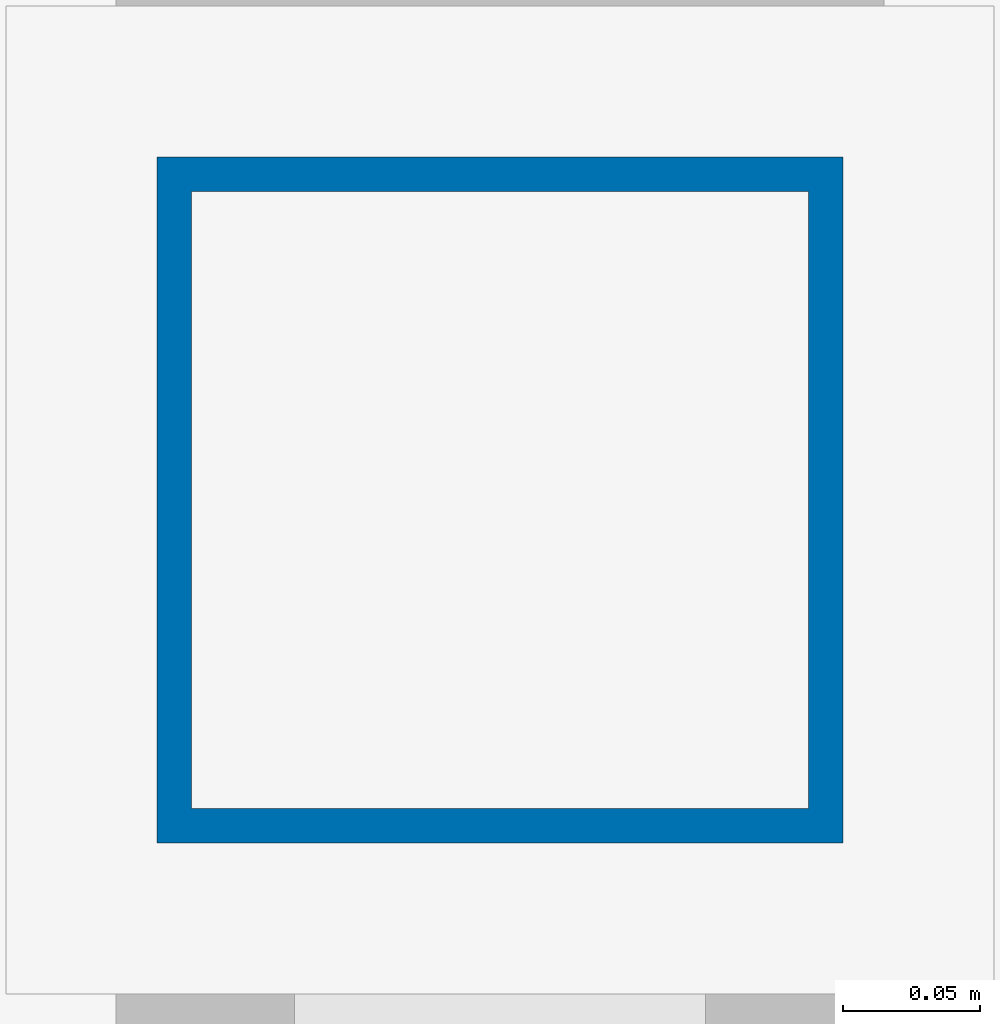
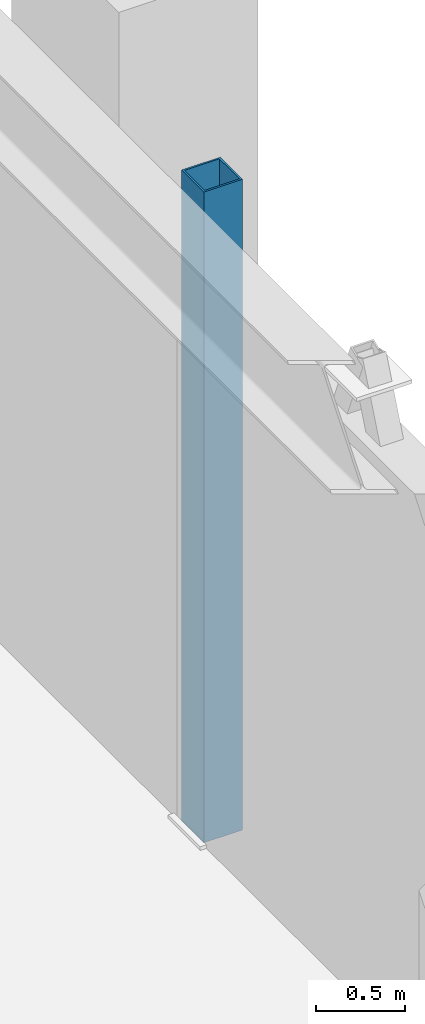
# One storey, part 12 of 126: 1 column.
"""IFC4 building model written with IfcOpenShell, lengths in metres."""

from ifc_helpers import new_model, si_unit, derived_unit, direction, frame, origin, origin_2d, place, context, subcontext, project, spatial, hollow_rectangle, extrude, material, material_profile, profile_set, type_object, element, save


model = new_model("IFC4")

# Units and contexts
model_context = context("Model", 3, precision=1e-05, world=origin(), true_north=direction((0.0, 1.0)))
body_context = subcontext(model_context, "Body", "Model", "MODEL_VIEW")
ifc_project = project(units=[si_unit("LENGTHUNIT", "METRE"), si_unit("AREAUNIT", "SQUARE_METRE"), si_unit("VOLUMEUNIT", "CUBIC_METRE"), si_unit("PLANEANGLEUNIT", "RADIAN"), si_unit("MASSUNIT", "GRAM", prefix="KILO"), derived_unit("THERMALTRANSMITTANCEUNIT", [(si_unit("MASSUNIT", "GRAM", prefix="KILO"), 1), (si_unit("TIMEUNIT", "SECOND"), -3), (si_unit("THERMODYNAMICTEMPERATUREUNIT", "KELVIN"), -1)])], contexts=[model_context])

# Site, building, storey
site_placement = place(None, origin())
site = spatial("IfcSite", under=ifc_project, at=site_placement, CompositionType="ELEMENT")
building_placement = place(site_placement, origin())
building = spatial("IfcBuilding", under=site, at=building_placement, Name="Valcora Ridge Arena", CompositionType="ELEMENT")
storey_placement = place(building_placement, frame((0.0, 0.0, 11.39990234375)))
storey = spatial("IfcBuildingStorey", under=building, at=storey_placement, Name="L02", CompositionType="ELEMENT", Elevation=11.39990234375)

# Column
ifc_material = material(Name="Steel ASTM A500 Grade C", Category="steel")
ifc_material_profile = material_profile(ifc_material, hollow_rectangle(XDim=0.25, YDim=0.25, WallThickness=0.012451171875, at=origin_2d()), Name="HSS250X250X12")
ifc_profile_set = profile_set([ifc_material_profile], Name="Steel ASTM A500 Grade C")
column_type = type_object("IfcColumnType", Name="TY-COLUMN-C-CBF250", PredefinedType="COLUMN", material=ifc_profile_set)
column_placement = place(storey_placement, frame((191.780029296875, 124.199951171875, 0.0), z_axis=(0.0, 0.0, 1.0), x_axis=(1.0, 0.0, 0.0)))
element("IfcColumn", 1, at=column_placement, inside=storey, type_object=column_type, Name="C-CBF250 COL-CBF-C-CBF250-0020", PredefinedType="COLUMN", context=body_context, shape_type="SweptSolid", body=[
    extrude(hollow_rectangle(XDim=0.25, YDim=0.25, WallThickness=0.012451171875, at=origin_2d()), origin(), (0.0, 0.0, 1.0), 4.4501953125),
])

save(model, "model.ifc")
